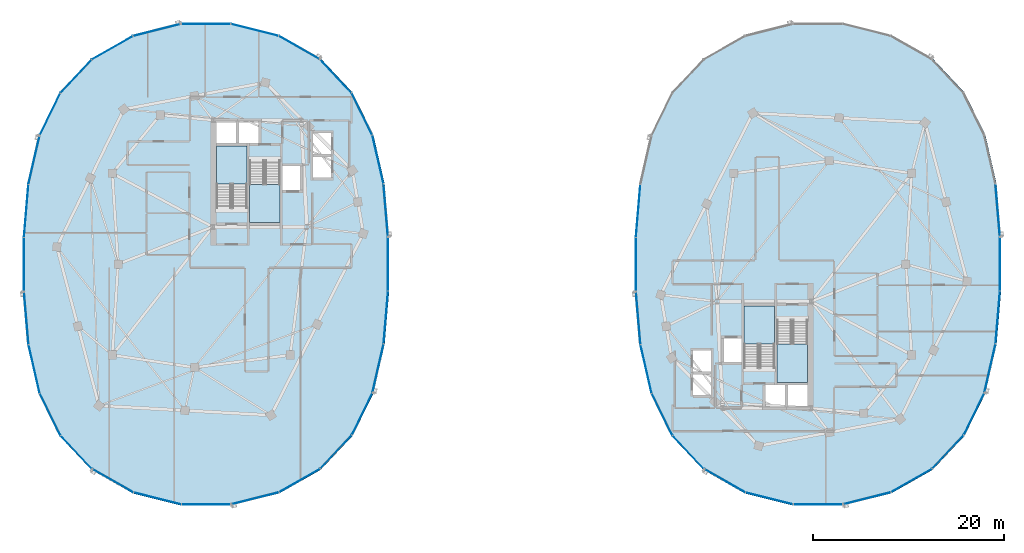
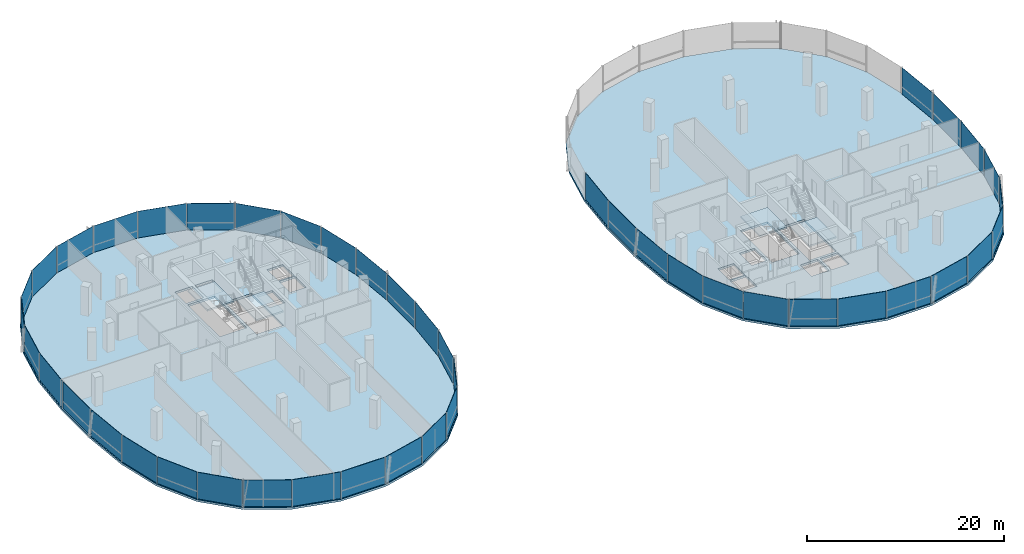
# One storey, part 13 of 25: 45 plates, 6 slabs, 12 elements without a shape of their own.
"""IFC4 building model written with IfcOpenShell, lengths in metres."""

from ifc_helpers import new_model, si_unit, direction, frame, origin, origin_2d, place, context, subcontext, project, spatial, polyline, rectangle, outline, extrude, material, layer, layer_set, type_object, element, aggregate, save


model = new_model("IFC4")

# Units and contexts
model_context = context("Model", 3, precision=1e-05, world=origin(), true_north=direction((0.0, 1.0)))
body_context = subcontext(model_context, "Body", "Model", "MODEL_VIEW")
ifc_project = project(units=[si_unit("LENGTHUNIT", "METRE"), si_unit("AREAUNIT", "SQUARE_METRE"), si_unit("VOLUMEUNIT", "CUBIC_METRE"), si_unit("PLANEANGLEUNIT", "RADIAN"), si_unit("MASSUNIT", "GRAM", prefix="KILO"), si_unit("THERMODYNAMICTEMPERATUREUNIT", "KELVIN"), si_unit("POWERUNIT", "WATT")], contexts=[model_context])

# Site, building, storey
site_placement = place(None, origin())
site = spatial("IfcSite", under=ifc_project, at=site_placement, CompositionType="ELEMENT")
building_placement = place(site_placement, origin())
building = spatial("IfcBuilding", under=site, at=building_placement, Name="Cundina Bronze Exchange", CompositionType="ELEMENT")
storey_placement = place(building_placement, frame((0.0, 0.0, 195.39990234375)))
storey = spatial("IfcBuildingStorey", under=building, at=storey_placement, Name="L51", CompositionType="ELEMENT", Elevation=195.39990234375)

# Curtain wall, plates
ifc_material_1 = material(Name="Anodised Bronze Aluminium 6063-T6", Category="aluminium")
curtain_wall_type = type_object("IfcCurtainWallType", Name="CWS-UPP-OFF", PredefinedType="NOTDEFINED", material=ifc_material_1)
curtain_wall_1_placement = place(storey_placement, origin())
curtain_wall_1 = element("IfcCurtainWall", 1, at=curtain_wall_1_placement, inside=storey, type_object=curtain_wall_type, Name="L51 CW-05 Curtain Wall Run CWR-L51-W1", PredefinedType="NOTDEFINED")
ifc_material_2 = material(Name="Heat-Strengthened Solar-Control Bronze Safety Glass 28mm", Category="glass")
ifc_layer_1 = layer(ifc_material_2, 0.028076171875, Name="Heat-Strengthened Solar-Control Bronze Safety Glass 28mm", Category="glass")
ifc_layer_set_1 = layer_set([ifc_layer_1], Name="Heat-Strengthened Solar-Control Bronze Safety Glass 28mm")
plate_type_1 = type_object("IfcPlateType", Name="PLT-GLZ-VIS28", PredefinedType="CURTAIN_PANEL", material=ifc_layer_set_1)
plate_1_placement = place(storey_placement, frame((-13.198486328125, 5.60693359375, 0.02001953125), z_axis=(0.0, 0.0, 1.0), x_axis=(-0.083747411454, 0.996487015006, 0.0)))
plate_1 = element("IfcPlate", 2, at=plate_1_placement, type_object=plate_type_1, Name="CW-05 Glazed Panel 1", PredefinedType="CURTAIN_PANEL", context=body_context, shape_type="SweptSolid", body=[
    extrude(rectangle(XDim=5.474609375, YDim=0.028076171875, at=origin_2d()), origin(), (0.0, 0.0, 1.0), 3.300048828125),
])
plate_2_placement = place(storey_placement, frame((-14.01611328125, 10.92578125, 0.02001953125), z_axis=(0.0, 0.0, 1.0), x_axis=(-0.223284141459, 0.974753400698, 0.0)))
plate_2 = element("IfcPlate", 3, at=plate_2_placement, type_object=plate_type_1, Name="CW-05 Glazed Panel 2", PredefinedType="CURTAIN_PANEL", context=body_context, shape_type="SweptSolid", body=[
    extrude(rectangle(XDim=5.167724609375, YDim=0.028076171875, at=origin_2d()), origin(), (0.0, 0.0, 1.0), 3.300048828125),
])
plate_3_placement = place(storey_placement, frame((-15.685302734375, 15.686767578125, 0.02001953125), z_axis=(0.0, 0.0, 1.0), x_axis=(-0.440503330345, 0.897750976582, 0.0)))
plate_3 = element("IfcPlate", 4, at=plate_3_placement, type_object=plate_type_1, Name="CW-05 Glazed Panel 3", PredefinedType="CURTAIN_PANEL", context=body_context, shape_type="SweptSolid", body=[
    extrude(rectangle(XDim=4.863525390625, YDim=0.028076171875, at=origin_2d()), origin(), (0.0, 0.0, 1.0), 3.300048828125),
])
plate_4_placement = place(storey_placement, frame((-22.230712890625, 22.64111328125, 0.02001953125), z_axis=(0.0, 0.0, 1.0), x_axis=(-0.869572506985, 0.493805280547, 0.0)))
plate_4 = element("IfcPlate", 5, at=plate_4_placement, type_object=plate_type_1, Name="CW-05 Glazed Panel 5", PredefinedType="CURTAIN_PANEL", context=body_context, shape_type="SweptSolid", body=[
    extrude(rectangle(XDim=4.907958984375, YDim=0.028076171875, at=origin_2d()), origin(), (0.0, 0.0, 1.0), 3.300048828125),
])
plate_5_placement = place(storey_placement, frame((-26.88720703125, 24.49609375, 0.02001953125), z_axis=(0.0, 0.0, 1.0), x_axis=(-0.969731542251, 0.244173577528, 0.0)))
plate_5 = element("IfcPlate", 6, at=plate_5_placement, type_object=plate_type_1, Name="CW-05 Glazed Panel 6", PredefinedType="CURTAIN_PANEL", context=body_context, shape_type="SweptSolid", body=[
    extrude(rectangle(XDim=5.0908203125, YDim=0.028076171875, at=origin_2d()), origin(), (0.0, 0.0, 1.0), 3.300048828125),
])
plate_6_placement = place(storey_placement, frame((-32.0, 25.125, 0.02001953125), z_axis=(0.0, 0.0, 1.0), x_axis=(-1.0, 0.0, 0.0)))
plate_6 = element("IfcPlate", 7, at=plate_6_placement, type_object=plate_type_1, Name="CW-05 Glazed Panel 7", PredefinedType="CURTAIN_PANEL", context=body_context, shape_type="SweptSolid", body=[
    extrude(rectangle(XDim=5.16796875, YDim=0.028076171875, at=origin_2d()), origin(), (0.0, 0.0, 1.0), 3.300048828125),
])

curtain_wall_2_placement = place(storey_placement, origin())
curtain_wall_2 = element("IfcCurtainWall", 8, at=curtain_wall_2_placement, inside=storey, type_object=curtain_wall_type, Name="L51 CW-05 Curtain Wall Run CWR-L51-W2", PredefinedType="NOTDEFINED")
plate_7_placement = place(storey_placement, frame((-37.11279296875, 24.49609375, 0.02001953125), z_axis=(0.0, 0.0, 1.0), x_axis=(-0.969731542251, -0.244173577528, 0.0)))
plate_7 = element("IfcPlate", 9, at=plate_7_placement, type_object=plate_type_1, Name="CW-05 Glazed Panel 1", PredefinedType="CURTAIN_PANEL", context=body_context, shape_type="SweptSolid", body=[
    extrude(rectangle(XDim=5.0908203125, YDim=0.028076171875, at=origin_2d()), origin(), (0.0, 0.0, 1.0), 3.300048828125),
])
plate_8_placement = place(storey_placement, frame((-41.769287109375, 22.64111328125, 0.02001953125), z_axis=(0.0, 0.0, 1.0), x_axis=(-0.869572506985, -0.493805280547, 0.0)))
plate_8 = element("IfcPlate", 10, at=plate_8_placement, type_object=plate_type_1, Name="CW-05 Glazed Panel 2", PredefinedType="CURTAIN_PANEL", context=body_context, shape_type="SweptSolid", body=[
    extrude(rectangle(XDim=4.907958984375, YDim=0.028076171875, at=origin_2d()), origin(), (0.0, 0.0, 1.0), 3.300048828125),
])
plate_9_placement = place(storey_placement, frame((-48.314697265625, 15.686767578125, 0.02001953125), z_axis=(0.0, 0.0, 1.0), x_axis=(-0.440503330345, -0.897750976582, 0.0)))
plate_9 = element("IfcPlate", 11, at=plate_9_placement, type_object=plate_type_1, Name="CW-05 Glazed Panel 4", PredefinedType="CURTAIN_PANEL", context=body_context, shape_type="SweptSolid", body=[
    extrude(rectangle(XDim=4.863525390625, YDim=0.028076171875, at=origin_2d()), origin(), (0.0, 0.0, 1.0), 3.300048828125),
])
plate_10_placement = place(storey_placement, frame((-49.98388671875, 10.92578125, 0.02001953125), z_axis=(0.0, 0.0, 1.0), x_axis=(-0.223284141459, -0.974753400698, 0.0)))
plate_10 = element("IfcPlate", 12, at=plate_10_placement, type_object=plate_type_1, Name="CW-05 Glazed Panel 5", PredefinedType="CURTAIN_PANEL", context=body_context, shape_type="SweptSolid", body=[
    extrude(rectangle(XDim=5.167724609375, YDim=0.028076171875, at=origin_2d()), origin(), (0.0, 0.0, 1.0), 3.300048828125),
])
plate_11_placement = place(storey_placement, frame((-50.801513671875, 5.60693359375, 0.02001953125), z_axis=(0.0, 0.0, 1.0), x_axis=(-0.083747411454, -0.996487015006, 0.0)))
plate_11 = element("IfcPlate", 13, at=plate_11_placement, type_object=plate_type_1, Name="CW-05 Glazed Panel 6", PredefinedType="CURTAIN_PANEL", context=body_context, shape_type="SweptSolid", body=[
    extrude(rectangle(XDim=5.474609375, YDim=0.028076171875, at=origin_2d()), origin(), (0.0, 0.0, 1.0), 3.300048828125),
])
plate_12_placement = place(storey_placement, frame((-51.033935546875, 0.0, 0.02001953125), z_axis=(0.0, 0.0, 1.0), x_axis=(0.0, -1.0, 0.0)))
plate_12 = element("IfcPlate", 14, at=plate_12_placement, type_object=plate_type_1, Name="CW-05 Glazed Panel 7", PredefinedType="CURTAIN_PANEL", context=body_context, shape_type="SweptSolid", body=[
    extrude(rectangle(XDim=5.597900390625, YDim=0.028076171875, at=origin_2d()), origin(), (0.0, 0.0, 1.0), 3.300048828125),
])

curtain_wall_3_placement = place(storey_placement, origin())
curtain_wall_3 = element("IfcCurtainWall", 15, at=curtain_wall_3_placement, inside=storey, type_object=curtain_wall_type, Name="L51 CW-05 Curtain Wall Run CWR-L51-W3", PredefinedType="NOTDEFINED")
plate_13_placement = place(storey_placement, frame((-50.801513671875, -5.60693359375, 0.02001953125), z_axis=(0.0, 0.0, 1.0), x_axis=(0.083747411454, -0.996487015006, 0.0)))
plate_13 = element("IfcPlate", 16, at=plate_13_placement, type_object=plate_type_1, Name="CW-05 Glazed Panel 1", PredefinedType="CURTAIN_PANEL", context=body_context, shape_type="SweptSolid", body=[
    extrude(rectangle(XDim=5.474609375, YDim=0.028076171875, at=origin_2d()), origin(), (0.0, 0.0, 1.0), 3.300048828125),
])
plate_14_placement = place(storey_placement, frame((-48.314697265625, -15.686767578125, 0.02001953125), z_axis=(0.0, 0.0, 1.0), x_axis=(0.440503330345, -0.897750976582, 0.0)))
plate_14 = element("IfcPlate", 17, at=plate_14_placement, type_object=plate_type_1, Name="CW-05 Glazed Panel 3", PredefinedType="CURTAIN_PANEL", context=body_context, shape_type="SweptSolid", body=[
    extrude(rectangle(XDim=4.863525390625, YDim=0.028076171875, at=origin_2d()), origin(), (0.0, 0.0, 1.0), 3.300048828125),
])
plate_15_placement = place(storey_placement, frame((-45.5791015625, -19.6552734375, 0.02001953125), z_axis=(0.0, 0.0, 1.0), x_axis=(0.684343512797, -0.72915976061, 0.0)))
plate_15 = element("IfcPlate", 18, at=plate_15_placement, type_object=plate_type_1, Name="CW-05 Glazed Panel 4", PredefinedType="CURTAIN_PANEL", context=body_context, shape_type="SweptSolid", body=[
    extrude(rectangle(XDim=4.773193359375, YDim=0.028076171875, at=origin_2d()), origin(), (0.0, 0.0, 1.0), 3.300048828125),
])
plate_16_placement = place(storey_placement, frame((-41.769287109375, -22.64111328125, 0.02001953125), z_axis=(0.0, 0.0, 1.0), x_axis=(0.869572506985, -0.493805280547, 0.0)))
plate_16 = element("IfcPlate", 19, at=plate_16_placement, type_object=plate_type_1, Name="CW-05 Glazed Panel 5", PredefinedType="CURTAIN_PANEL", context=body_context, shape_type="SweptSolid", body=[
    extrude(rectangle(XDim=4.907958984375, YDim=0.028076171875, at=origin_2d()), origin(), (0.0, 0.0, 1.0), 3.300048828125),
])
plate_17_placement = place(storey_placement, frame((-37.11279296875, -24.49609375, 0.02001953125), z_axis=(0.0, 0.0, 1.0), x_axis=(0.969731542251, -0.244173577528, 0.0)))
plate_17 = element("IfcPlate", 20, at=plate_17_placement, type_object=plate_type_1, Name="CW-05 Glazed Panel 6", PredefinedType="CURTAIN_PANEL", context=body_context, shape_type="SweptSolid", body=[
    extrude(rectangle(XDim=5.0908203125, YDim=0.028076171875, at=origin_2d()), origin(), (0.0, 0.0, 1.0), 3.300048828125),
])

curtain_wall_4_placement = place(storey_placement, origin())
curtain_wall_4 = element("IfcCurtainWall", 21, at=curtain_wall_4_placement, inside=storey, type_object=curtain_wall_type, Name="L51 CW-05 Curtain Wall Run CWR-L51-W4", PredefinedType="NOTDEFINED")
plate_18_placement = place(storey_placement, frame((-22.230712890625, -22.64111328125, 0.02001953125), z_axis=(0.0, 0.0, 1.0), x_axis=(0.869572506985, 0.493805280547, 0.0)))
plate_18 = element("IfcPlate", 22, at=plate_18_placement, type_object=plate_type_1, Name="CW-05 Glazed Panel 2", PredefinedType="CURTAIN_PANEL", context=body_context, shape_type="SweptSolid", body=[
    extrude(rectangle(XDim=4.907958984375, YDim=0.028076171875, at=origin_2d()), origin(), (0.0, 0.0, 1.0), 3.300048828125),
])
plate_19_placement = place(storey_placement, frame((-18.4208984375, -19.6552734375, 0.02001953125), z_axis=(0.0, 0.0, 1.0), x_axis=(0.684343512797, 0.72915976061, 0.0)))
plate_19 = element("IfcPlate", 23, at=plate_19_placement, type_object=plate_type_1, Name="CW-05 Glazed Panel 3", PredefinedType="CURTAIN_PANEL", context=body_context, shape_type="SweptSolid", body=[
    extrude(rectangle(XDim=4.773193359375, YDim=0.028076171875, at=origin_2d()), origin(), (0.0, 0.0, 1.0), 3.300048828125),
])
plate_20_placement = place(storey_placement, frame((-15.685302734375, -15.686767578125, 0.02001953125), z_axis=(0.0, 0.0, 1.0), x_axis=(0.440503330345, 0.897750976582, 0.0)))
plate_20 = element("IfcPlate", 24, at=plate_20_placement, type_object=plate_type_1, Name="CW-05 Glazed Panel 4", PredefinedType="CURTAIN_PANEL", context=body_context, shape_type="SweptSolid", body=[
    extrude(rectangle(XDim=4.863525390625, YDim=0.028076171875, at=origin_2d()), origin(), (0.0, 0.0, 1.0), 3.300048828125),
])
plate_21_placement = place(storey_placement, frame((-14.01611328125, -10.92578125, 0.02001953125), z_axis=(0.0, 0.0, 1.0), x_axis=(0.223284141459, 0.974753400698, 0.0)))
plate_21 = element("IfcPlate", 25, at=plate_21_placement, type_object=plate_type_1, Name="CW-05 Glazed Panel 5", PredefinedType="CURTAIN_PANEL", context=body_context, shape_type="SweptSolid", body=[
    extrude(rectangle(XDim=5.167724609375, YDim=0.028076171875, at=origin_2d()), origin(), (0.0, 0.0, 1.0), 3.300048828125),
])
plate_22_placement = place(storey_placement, frame((-12.966064453125, 0.0, 0.02001953125), z_axis=(0.0, 0.0, 1.0), x_axis=(0.0, 1.0, 0.0)))
plate_22 = element("IfcPlate", 26, at=plate_22_placement, type_object=plate_type_1, Name="CW-05 Glazed Panel 7", PredefinedType="CURTAIN_PANEL", context=body_context, shape_type="SweptSolid", body=[
    extrude(rectangle(XDim=5.597900390625, YDim=0.028076171875, at=origin_2d()), origin(), (0.0, 0.0, 1.0), 3.300048828125),
])

# Curtain wall, plate
curtain_wall_5_placement = place(storey_placement, origin())
curtain_wall_5 = element("IfcCurtainWall", 27, at=curtain_wall_5_placement, inside=storey, type_object=curtain_wall_type, Name="L51 CW-05 Curtain Wall Run CWR-L51-E1", PredefinedType="NOTDEFINED")
plate_23_placement = place(storey_placement, frame((50.801513671875, 5.60693359375, 0.02001953125), z_axis=(0.0, 0.0, 1.0), x_axis=(-0.083747411454, 0.996487015006, 0.0)))
plate_23 = element("IfcPlate", 28, at=plate_23_placement, type_object=plate_type_1, Name="CW-05 Glazed Panel 1", PredefinedType="CURTAIN_PANEL", context=body_context, shape_type="SweptSolid", body=[
    extrude(rectangle(XDim=5.474609375, YDim=0.028076171875, at=origin_2d()), origin(), (0.0, 0.0, 1.0), 3.300048828125),
])
aggregate(curtain_wall_5, [plate_23])

# Curtain wall, plates
curtain_wall_6_placement = place(storey_placement, origin())
curtain_wall_6 = element("IfcCurtainWall", 29, at=curtain_wall_6_placement, inside=storey, type_object=curtain_wall_type, Name="L51 CW-05 Curtain Wall Run CWR-L51-E2", PredefinedType="NOTDEFINED")
plate_24_placement = place(storey_placement, frame((13.198486328125, 5.60693359375, 0.02001953125), z_axis=(0.0, 0.0, 1.0), x_axis=(-0.083747411454, -0.996487015006, 0.0)))
plate_24 = element("IfcPlate", 30, at=plate_24_placement, type_object=plate_type_1, Name="CW-05 Glazed Panel 6", PredefinedType="CURTAIN_PANEL", context=body_context, shape_type="SweptSolid", body=[
    extrude(rectangle(XDim=5.474609375, YDim=0.028076171875, at=origin_2d()), origin(), (0.0, 0.0, 1.0), 3.300048828125),
])
plate_25_placement = place(storey_placement, frame((12.966064453125, 0.0, 0.02001953125), z_axis=(0.0, 0.0, 1.0), x_axis=(0.0, -1.0, 0.0)))
plate_25 = element("IfcPlate", 31, at=plate_25_placement, type_object=plate_type_1, Name="CW-05 Glazed Panel 7", PredefinedType="CURTAIN_PANEL", context=body_context, shape_type="SweptSolid", body=[
    extrude(rectangle(XDim=5.597900390625, YDim=0.028076171875, at=origin_2d()), origin(), (0.0, 0.0, 1.0), 3.300048828125),
])
aggregate(curtain_wall_6, [plate_24, plate_25])

curtain_wall_7_placement = place(storey_placement, origin())
curtain_wall_7 = element("IfcCurtainWall", 32, at=curtain_wall_7_placement, inside=storey, type_object=curtain_wall_type, Name="L51 CW-05 Curtain Wall Run CWR-L51-E3", PredefinedType="NOTDEFINED")
plate_26_placement = place(storey_placement, frame((13.198486328125, -5.60693359375, 0.02001953125), z_axis=(0.0, 0.0, 1.0), x_axis=(0.083747411454, -0.996487015006, 0.0)))
plate_26 = element("IfcPlate", 33, at=plate_26_placement, type_object=plate_type_1, Name="CW-05 Glazed Panel 1", PredefinedType="CURTAIN_PANEL", context=body_context, shape_type="SweptSolid", body=[
    extrude(rectangle(XDim=5.474609375, YDim=0.028076171875, at=origin_2d()), origin(), (0.0, 0.0, 1.0), 3.300048828125),
])
plate_27_placement = place(storey_placement, frame((15.685302734375, -15.686767578125, 0.02001953125), z_axis=(0.0, 0.0, 1.0), x_axis=(0.440503330345, -0.897750976582, 0.0)))
plate_27 = element("IfcPlate", 34, at=plate_27_placement, type_object=plate_type_1, Name="CW-05 Glazed Panel 3", PredefinedType="CURTAIN_PANEL", context=body_context, shape_type="SweptSolid", body=[
    extrude(rectangle(XDim=4.863525390625, YDim=0.028076171875, at=origin_2d()), origin(), (0.0, 0.0, 1.0), 3.300048828125),
])
plate_28_placement = place(storey_placement, frame((18.4208984375, -19.6552734375, 0.02001953125), z_axis=(0.0, 0.0, 1.0), x_axis=(0.684343512797, -0.72915976061, 0.0)))
plate_28 = element("IfcPlate", 35, at=plate_28_placement, type_object=plate_type_1, Name="CW-05 Glazed Panel 4", PredefinedType="CURTAIN_PANEL", context=body_context, shape_type="SweptSolid", body=[
    extrude(rectangle(XDim=4.773193359375, YDim=0.028076171875, at=origin_2d()), origin(), (0.0, 0.0, 1.0), 3.300048828125),
])
plate_29_placement = place(storey_placement, frame((22.230712890625, -22.64111328125, 0.02001953125), z_axis=(0.0, 0.0, 1.0), x_axis=(0.869572506985, -0.493805280547, 0.0)))
plate_29 = element("IfcPlate", 36, at=plate_29_placement, type_object=plate_type_1, Name="CW-05 Glazed Panel 5", PredefinedType="CURTAIN_PANEL", context=body_context, shape_type="SweptSolid", body=[
    extrude(rectangle(XDim=4.907958984375, YDim=0.028076171875, at=origin_2d()), origin(), (0.0, 0.0, 1.0), 3.300048828125),
])
plate_30_placement = place(storey_placement, frame((26.88720703125, -24.49609375, 0.02001953125), z_axis=(0.0, 0.0, 1.0), x_axis=(0.969731542251, -0.244173577528, 0.0)))
plate_30 = element("IfcPlate", 37, at=plate_30_placement, type_object=plate_type_1, Name="CW-05 Glazed Panel 6", PredefinedType="CURTAIN_PANEL", context=body_context, shape_type="SweptSolid", body=[
    extrude(rectangle(XDim=5.0908203125, YDim=0.028076171875, at=origin_2d()), origin(), (0.0, 0.0, 1.0), 3.300048828125),
])

curtain_wall_8_placement = place(storey_placement, origin())
curtain_wall_8 = element("IfcCurtainWall", 38, at=curtain_wall_8_placement, inside=storey, type_object=curtain_wall_type, Name="L51 CW-05 Curtain Wall Run CWR-L51-E4", PredefinedType="NOTDEFINED")
plate_31_placement = place(storey_placement, frame((41.769287109375, -22.64111328125, 0.02001953125), z_axis=(0.0, 0.0, 1.0), x_axis=(0.869572506985, 0.493805280547, 0.0)))
plate_31 = element("IfcPlate", 39, at=plate_31_placement, type_object=plate_type_1, Name="CW-05 Glazed Panel 2", PredefinedType="CURTAIN_PANEL", context=body_context, shape_type="SweptSolid", body=[
    extrude(rectangle(XDim=4.907958984375, YDim=0.028076171875, at=origin_2d()), origin(), (0.0, 0.0, 1.0), 3.300048828125),
])
plate_32_placement = place(storey_placement, frame((45.5791015625, -19.6552734375, 0.02001953125), z_axis=(0.0, 0.0, 1.0), x_axis=(0.684343512797, 0.72915976061, 0.0)))
plate_32 = element("IfcPlate", 40, at=plate_32_placement, type_object=plate_type_1, Name="CW-05 Glazed Panel 3", PredefinedType="CURTAIN_PANEL", context=body_context, shape_type="SweptSolid", body=[
    extrude(rectangle(XDim=4.773193359375, YDim=0.028076171875, at=origin_2d()), origin(), (0.0, 0.0, 1.0), 3.300048828125),
])
plate_33_placement = place(storey_placement, frame((48.314697265625, -15.686767578125, 0.02001953125), z_axis=(0.0, 0.0, 1.0), x_axis=(0.440503330345, 0.897750976582, 0.0)))
plate_33 = element("IfcPlate", 41, at=plate_33_placement, type_object=plate_type_1, Name="CW-05 Glazed Panel 4", PredefinedType="CURTAIN_PANEL", context=body_context, shape_type="SweptSolid", body=[
    extrude(rectangle(XDim=4.863525390625, YDim=0.028076171875, at=origin_2d()), origin(), (0.0, 0.0, 1.0), 3.300048828125),
])
plate_34_placement = place(storey_placement, frame((49.98388671875, -10.92578125, 0.02001953125), z_axis=(0.0, 0.0, 1.0), x_axis=(0.223284141459, 0.974753400698, 0.0)))
plate_34 = element("IfcPlate", 42, at=plate_34_placement, type_object=plate_type_1, Name="CW-05 Glazed Panel 5", PredefinedType="CURTAIN_PANEL", context=body_context, shape_type="SweptSolid", body=[
    extrude(rectangle(XDim=5.167724609375, YDim=0.028076171875, at=origin_2d()), origin(), (0.0, 0.0, 1.0), 3.300048828125),
])
plate_35_placement = place(storey_placement, frame((51.033935546875, 0.0, 0.02001953125), z_axis=(0.0, 0.0, 1.0), x_axis=(0.0, 1.0, 0.0)))
plate_35 = element("IfcPlate", 43, at=plate_35_placement, type_object=plate_type_1, Name="CW-05 Glazed Panel 7", PredefinedType="CURTAIN_PANEL", context=body_context, shape_type="SweptSolid", body=[
    extrude(rectangle(XDim=5.597900390625, YDim=0.028076171875, at=origin_2d()), origin(), (0.0, 0.0, 1.0), 3.300048828125),
])

# Plate
ifc_material_3 = material(Name="Dark Bronze Spandrel Glass Panel 32mm", Category="glass")
ifc_layer_2 = layer(ifc_material_3, 0.031982421875, Name="Dark Bronze Spandrel Glass Panel 32mm", Category="glass")
ifc_layer_set_2 = layer_set([ifc_layer_2], Name="Dark Bronze Spandrel Glass Panel 32mm")
plate_type_2 = type_object("IfcPlateType", Name="PLT-SPN-BRZ32", PredefinedType="CURTAIN_PANEL", material=ifc_layer_set_2)
plate_36_placement = place(storey_placement, frame((-18.4208984375, 19.6552734375, 0.02001953125), z_axis=(0.0, 0.0, 1.0), x_axis=(-0.684343512797, 0.72915976061, 0.0)))
plate_36 = element("IfcPlate", 44, at=plate_36_placement, type_object=plate_type_2, Name="CW-05 Glazed Panel 4", PredefinedType="CURTAIN_PANEL", context=body_context, shape_type="SweptSolid", body=[
    extrude(rectangle(XDim=4.773193359375, YDim=0.031982421875, at=origin_2d()), origin(), (0.0, 0.0, 1.0), 3.300048828125),
])

aggregate(curtain_wall_1, [plate_1, plate_2, plate_3, plate_36, plate_4, plate_5, plate_6])

plate_37_placement = place(storey_placement, frame((-45.5791015625, 19.6552734375, 0.02001953125), z_axis=(0.0, 0.0, 1.0), x_axis=(-0.684343512797, -0.72915976061, 0.0)))
plate_37 = element("IfcPlate", 45, at=plate_37_placement, type_object=plate_type_2, Name="CW-05 Glazed Panel 3", PredefinedType="CURTAIN_PANEL", context=body_context, shape_type="SweptSolid", body=[
    extrude(rectangle(XDim=4.773193359375, YDim=0.031982421875, at=origin_2d()), origin(), (0.0, 0.0, 1.0), 3.300048828125),
])

aggregate(curtain_wall_2, [plate_7, plate_8, plate_37, plate_9, plate_10, plate_11, plate_12])

plate_38_placement = place(storey_placement, frame((-49.98388671875, -10.92578125, 0.02001953125), z_axis=(0.0, 0.0, 1.0), x_axis=(0.223284141459, -0.974753400698, 0.0)))
plate_38 = element("IfcPlate", 46, at=plate_38_placement, type_object=plate_type_2, Name="CW-05 Glazed Panel 2", PredefinedType="CURTAIN_PANEL", context=body_context, shape_type="SweptSolid", body=[
    extrude(rectangle(XDim=5.167724609375, YDim=0.031982421875, at=origin_2d()), origin(), (0.0, 0.0, 1.0), 3.300048828125),
])

plate_39_placement = place(storey_placement, frame((-32.0, -25.125, 0.02001953125), z_axis=(0.0, 0.0, 1.0), x_axis=(1.0, 0.0, 0.0)))
plate_39 = element("IfcPlate", 47, at=plate_39_placement, type_object=plate_type_2, Name="CW-05 Glazed Panel 7", PredefinedType="CURTAIN_PANEL", context=body_context, shape_type="SweptSolid", body=[
    extrude(rectangle(XDim=5.16796875, YDim=0.031982421875, at=origin_2d()), origin(), (0.0, 0.0, 1.0), 3.300048828125),
])

aggregate(curtain_wall_3, [plate_13, plate_38, plate_14, plate_15, plate_16, plate_17, plate_39])

plate_40_placement = place(storey_placement, frame((-26.88720703125, -24.49609375, 0.02001953125), z_axis=(0.0, 0.0, 1.0), x_axis=(0.969731542251, 0.244173577528, 0.0)))
plate_40 = element("IfcPlate", 48, at=plate_40_placement, type_object=plate_type_2, Name="CW-05 Glazed Panel 1", PredefinedType="CURTAIN_PANEL", context=body_context, shape_type="SweptSolid", body=[
    extrude(rectangle(XDim=5.0908203125, YDim=0.031982421875, at=origin_2d()), origin(), (0.0, 0.0, 1.0), 3.300048828125),
])

plate_41_placement = place(storey_placement, frame((-13.198486328125, -5.60693359375, 0.02001953125), z_axis=(0.0, 0.0, 1.0), x_axis=(0.083747411454, 0.996487015006, 0.0)))
plate_41 = element("IfcPlate", 49, at=plate_41_placement, type_object=plate_type_2, Name="CW-05 Glazed Panel 6", PredefinedType="CURTAIN_PANEL", context=body_context, shape_type="SweptSolid", body=[
    extrude(rectangle(XDim=5.474609375, YDim=0.031982421875, at=origin_2d()), origin(), (0.0, 0.0, 1.0), 3.300048828125),
])

aggregate(curtain_wall_4, [plate_40, plate_18, plate_19, plate_20, plate_21, plate_41, plate_22])

plate_42_placement = place(storey_placement, frame((14.01611328125, -10.92578125, 0.02001953125), z_axis=(0.0, 0.0, 1.0), x_axis=(0.223284141459, -0.974753400698, 0.0)))
plate_42 = element("IfcPlate", 50, at=plate_42_placement, type_object=plate_type_2, Name="CW-05 Glazed Panel 2", PredefinedType="CURTAIN_PANEL", context=body_context, shape_type="SweptSolid", body=[
    extrude(rectangle(XDim=5.167724609375, YDim=0.031982421875, at=origin_2d()), origin(), (0.0, 0.0, 1.0), 3.300048828125),
])

plate_43_placement = place(storey_placement, frame((32.0, -25.125, 0.02001953125), z_axis=(0.0, 0.0, 1.0), x_axis=(1.0, 0.0, 0.0)))
plate_43 = element("IfcPlate", 51, at=plate_43_placement, type_object=plate_type_2, Name="CW-05 Glazed Panel 7", PredefinedType="CURTAIN_PANEL", context=body_context, shape_type="SweptSolid", body=[
    extrude(rectangle(XDim=5.16796875, YDim=0.031982421875, at=origin_2d()), origin(), (0.0, 0.0, 1.0), 3.300048828125),
])

aggregate(curtain_wall_7, [plate_26, plate_42, plate_27, plate_28, plate_29, plate_30, plate_43])

plate_44_placement = place(storey_placement, frame((37.11279296875, -24.49609375, 0.02001953125), z_axis=(0.0, 0.0, 1.0), x_axis=(0.969731542251, 0.244173577528, 0.0)))
plate_44 = element("IfcPlate", 52, at=plate_44_placement, type_object=plate_type_2, Name="CW-05 Glazed Panel 1", PredefinedType="CURTAIN_PANEL", context=body_context, shape_type="SweptSolid", body=[
    extrude(rectangle(XDim=5.0908203125, YDim=0.031982421875, at=origin_2d()), origin(), (0.0, 0.0, 1.0), 3.300048828125),
])

plate_45_placement = place(storey_placement, frame((50.801513671875, -5.60693359375, 0.02001953125), z_axis=(0.0, 0.0, 1.0), x_axis=(0.083747411454, 0.996487015006, 0.0)))
plate_45 = element("IfcPlate", 53, at=plate_45_placement, type_object=plate_type_2, Name="CW-05 Glazed Panel 6", PredefinedType="CURTAIN_PANEL", context=body_context, shape_type="SweptSolid", body=[
    extrude(rectangle(XDim=5.474609375, YDim=0.031982421875, at=origin_2d()), origin(), (0.0, 0.0, 1.0), 3.300048828125),
])

aggregate(curtain_wall_8, [plate_44, plate_31, plate_32, plate_33, plate_34, plate_45, plate_35])

# Stair, slab
ifc_material_4 = material(Name="Concrete C40/50", Category="concrete")
stair_type = type_object("IfcStairType", Name="STR-OFF-360", PredefinedType="HALF_TURN_STAIR", material=ifc_material_4)
stair_1_placement = place(storey_placement, origin())
stair_1 = element("IfcStair", 54, at=stair_1_placement, inside=storey, type_object=stair_type, Name="L51 Smokeproof Exit Stair W1", PredefinedType="HALF_TURN_STAIR")
ifc_layer_3 = layer(ifc_material_4, 0.199951171875, Name="Concrete C40/50", Category="concrete")
ifc_layer_set_3 = layer_set([ifc_layer_3], Name="Concrete C40/50")
slab_type_1 = type_object("IfcSlabType", Name="SLB-LND-200", PredefinedType="LANDING", material=ifc_layer_set_3)
slab_1_placement = place(storey_placement, frame((0.0, 0.0, 1.60009765625)))
slab_1 = element("IfcSlab", 55, at=slab_1_placement, type_object=slab_type_1, Name="ST-W1 landing 1", PredefinedType="LANDING", context=body_context, shape_type="SweptSolid", body=[
    extrude(outline(polyline([(-27.739990234375, 8.3701171875), (-27.739990234375, 12.35009765625), (-30.89990234375, 12.35009765625), (-30.89990234375, 8.3701171875), (-27.739990234375, 8.3701171875)])), origin(), (0.0, 0.0, 1.0), 0.199951171875),
])
aggregate(stair_1, [slab_1])

stair_2_placement = place(storey_placement, origin())
stair_2 = element("IfcStair", 56, at=stair_2_placement, inside=storey, type_object=stair_type, Name="L51 Smokeproof Exit Stair W2", PredefinedType="HALF_TURN_STAIR")
slab_2_placement = place(storey_placement, frame((0.0, 0.0, 1.60009765625)))
slab_2 = element("IfcSlab", 57, at=slab_2_placement, type_object=slab_type_1, Name="ST-W2 landing 1", PredefinedType="LANDING", context=body_context, shape_type="SweptSolid", body=[
    extrude(outline(polyline([(-27.43994140625, 8.330078125), (-27.43994140625, 4.35009765625), (-24.280029296875, 4.35009765625), (-24.280029296875, 8.330078125), (-27.43994140625, 8.330078125)])), origin(), (0.0, 0.0, 1.0), 0.199951171875),
])
aggregate(stair_2, [slab_2])

stair_3_placement = place(storey_placement, origin())
stair_3 = element("IfcStair", 58, at=stair_3_placement, inside=storey, type_object=stair_type, Name="L51 Smokeproof Exit Stair E1", PredefinedType="HALF_TURN_STAIR")
slab_3_placement = place(storey_placement, frame((0.0, 0.0, 1.60009765625)))
slab_3 = element("IfcSlab", 59, at=slab_3_placement, type_object=slab_type_1, Name="ST-E1 landing 1", PredefinedType="LANDING", context=body_context, shape_type="SweptSolid", body=[
    extrude(outline(polyline([(27.739990234375, -8.3701171875), (27.739990234375, -12.35009765625), (30.89990234375, -12.35009765625), (30.89990234375, -8.3701171875), (27.739990234375, -8.3701171875)])), origin(), (0.0, 0.0, 1.0), 0.199951171875),
])
aggregate(stair_3, [slab_3])

stair_4_placement = place(storey_placement, origin())
stair_4 = element("IfcStair", 60, at=stair_4_placement, inside=storey, type_object=stair_type, Name="L51 Smokeproof Exit Stair E2", PredefinedType="HALF_TURN_STAIR")
slab_4_placement = place(storey_placement, frame((0.0, 0.0, 1.60009765625)))
slab_4 = element("IfcSlab", 61, at=slab_4_placement, type_object=slab_type_1, Name="ST-E2 landing 1", PredefinedType="LANDING", context=body_context, shape_type="SweptSolid", body=[
    extrude(outline(polyline([(27.43994140625, -8.330078125), (27.43994140625, -4.35009765625), (24.280029296875, -4.35009765625), (24.280029296875, -8.330078125), (27.43994140625, -8.330078125)])), origin(), (0.0, 0.0, 1.0), 0.199951171875),
])
aggregate(stair_4, [slab_4])

# Slabs
ifc_material_5 = material(Name="Concrete C50/60", Category="concrete")
ifc_layer_4 = layer(ifc_material_5, 0.260009765625, Name="Concrete C50/60", Category="concrete")
ifc_layer_set_4 = layer_set([ifc_layer_4], Name="Concrete C50/60")
slab_type_2 = type_object("IfcSlabType", Name="SLB-OFF-260", PredefinedType="FLOOR", material=ifc_layer_set_4)
slab_5_placement = place(storey_placement, frame((0.0, 0.0, -0.260009765625)))
element("IfcSlab", 62, at=slab_5_placement, inside=storey, type_object=slab_type_2, Name="L51 Leg W Structural Floor Slab", PredefinedType="FLOOR", context=body_context, shape_type="SweptSolid", body=[
    extrude(outline(polyline([(-12.85107421875, 2.843994140625), (-13.31689453125, 8.388916015625), (-14.490966796875, 13.513916015625), (-16.673095703125, 17.9609375), (-20.0009765625, 21.507080078125), (-24.346923828125, 23.97509765625), (-29.37109375, 25.239990234375), (-34.62890625, 25.239990234375), (-39.653076171875, 23.97509765625), (-43.9990234375, 21.507080078125), (-47.326904296875, 17.9609375), (-49.509033203125, 13.513916015625), (-50.68310546875, 8.388916015625), (-51.14892578125, 2.843994140625), (-51.14892578125, -2.843994140625), (-50.68310546875, -8.388916015625), (-49.509033203125, -13.513916015625), (-47.326904296875, -17.9609375), (-43.9990234375, -21.507080078125), (-39.653076171875, -23.97509765625), (-34.62890625, -25.239990234375), (-29.37109375, -25.239990234375), (-24.346923828125, -23.97509765625), (-20.0009765625, -21.507080078125), (-16.673095703125, -17.9609375), (-14.490966796875, -13.513916015625), (-13.31689453125, -8.388916015625), (-12.85107421875, -2.843994140625), (-12.85107421875, 2.843994140625)]), holes=[polyline([(-27.739990234375, 5.85009765625), (-27.739990234375, 12.35009765625), (-30.89990234375, 12.35009765625), (-30.89990234375, 5.85009765625), (-27.739990234375, 5.85009765625)]), polyline([(-27.43994140625, 10.85009765625), (-27.43994140625, 4.35009765625), (-24.280029296875, 4.35009765625), (-24.280029296875, 10.85009765625), (-27.43994140625, 10.85009765625)]), polyline([(-23.97998046875, 10.25), (-22.179931640625, 10.25), (-22.179931640625, 7.75), (-23.97998046875, 7.75), (-23.97998046875, 10.25)]), polyline([(-30.89990234375, 14.949951171875), (-28.85009765625, 14.949951171875), (-28.85009765625, 12.64990234375), (-30.89990234375, 12.64990234375), (-30.89990234375, 14.949951171875)]), polyline([(-28.550048828125, 14.949951171875), (-26.5, 14.949951171875), (-26.5, 12.64990234375), (-28.550048828125, 12.64990234375), (-28.550048828125, 14.949951171875)]), polyline([(-20.800048828125, 13.699951171875), (-18.949951171875, 13.699951171875), (-18.949951171875, 11.449951171875), (-20.800048828125, 11.449951171875), (-20.800048828125, 13.699951171875)]), polyline([(-20.800048828125, 11.300048828125), (-18.949951171875, 11.300048828125), (-18.949951171875, 9.050048828125), (-20.800048828125, 9.050048828125), (-20.800048828125, 11.300048828125)])]), origin(), (0.0, 0.0, 1.0), 0.260009765625),
])
slab_6_placement = place(storey_placement, frame((0.0, 0.0, -0.260009765625)))
element("IfcSlab", 63, at=slab_6_placement, inside=storey, type_object=slab_type_2, Name="L51 Leg E Structural Floor Slab", PredefinedType="FLOOR", context=body_context, shape_type="SweptSolid", body=[
    extrude(outline(polyline([(51.14892578125, 2.843994140625), (50.68310546875, 8.388916015625), (49.509033203125, 13.513916015625), (47.326904296875, 17.9609375), (43.9990234375, 21.507080078125), (39.653076171875, 23.97509765625), (34.62890625, 25.239990234375), (29.37109375, 25.239990234375), (24.346923828125, 23.97509765625), (20.0009765625, 21.507080078125), (16.673095703125, 17.9609375), (14.490966796875, 13.513916015625), (13.31689453125, 8.388916015625), (12.85107421875, 2.843994140625), (12.85107421875, -2.843994140625), (13.31689453125, -8.388916015625), (14.490966796875, -13.513916015625), (16.673095703125, -17.9609375), (20.0009765625, -21.507080078125), (24.346923828125, -23.97509765625), (29.37109375, -25.239990234375), (34.62890625, -25.239990234375), (39.653076171875, -23.97509765625), (43.9990234375, -21.507080078125), (47.326904296875, -17.9609375), (49.509033203125, -13.513916015625), (50.68310546875, -8.388916015625), (51.14892578125, -2.843994140625), (51.14892578125, 2.843994140625)]), holes=[polyline([(27.739990234375, -5.85009765625), (27.739990234375, -12.35009765625), (30.89990234375, -12.35009765625), (30.89990234375, -5.85009765625), (27.739990234375, -5.85009765625)]), polyline([(27.43994140625, -10.85009765625), (27.43994140625, -4.35009765625), (24.280029296875, -4.35009765625), (24.280029296875, -10.85009765625), (27.43994140625, -10.85009765625)]), polyline([(22.179931640625, -7.75), (23.97998046875, -7.75), (23.97998046875, -10.25), (22.179931640625, -10.25), (22.179931640625, -7.75)]), polyline([(28.85009765625, -12.64990234375), (30.89990234375, -12.64990234375), (30.89990234375, -14.949951171875), (28.85009765625, -14.949951171875), (28.85009765625, -12.64990234375)]), polyline([(26.5, -12.64990234375), (28.550048828125, -12.64990234375), (28.550048828125, -14.949951171875), (26.5, -14.949951171875), (26.5, -12.64990234375)]), polyline([(18.949951171875, -11.449951171875), (20.800048828125, -11.449951171875), (20.800048828125, -13.699951171875), (18.949951171875, -13.699951171875), (18.949951171875, -11.449951171875)]), polyline([(18.949951171875, -9.050048828125), (20.800048828125, -9.050048828125), (20.800048828125, -11.300048828125), (18.949951171875, -11.300048828125), (18.949951171875, -9.050048828125)])]), origin(), (0.0, 0.0, 1.0), 0.260009765625),
])

save(model, "model.ifc")
